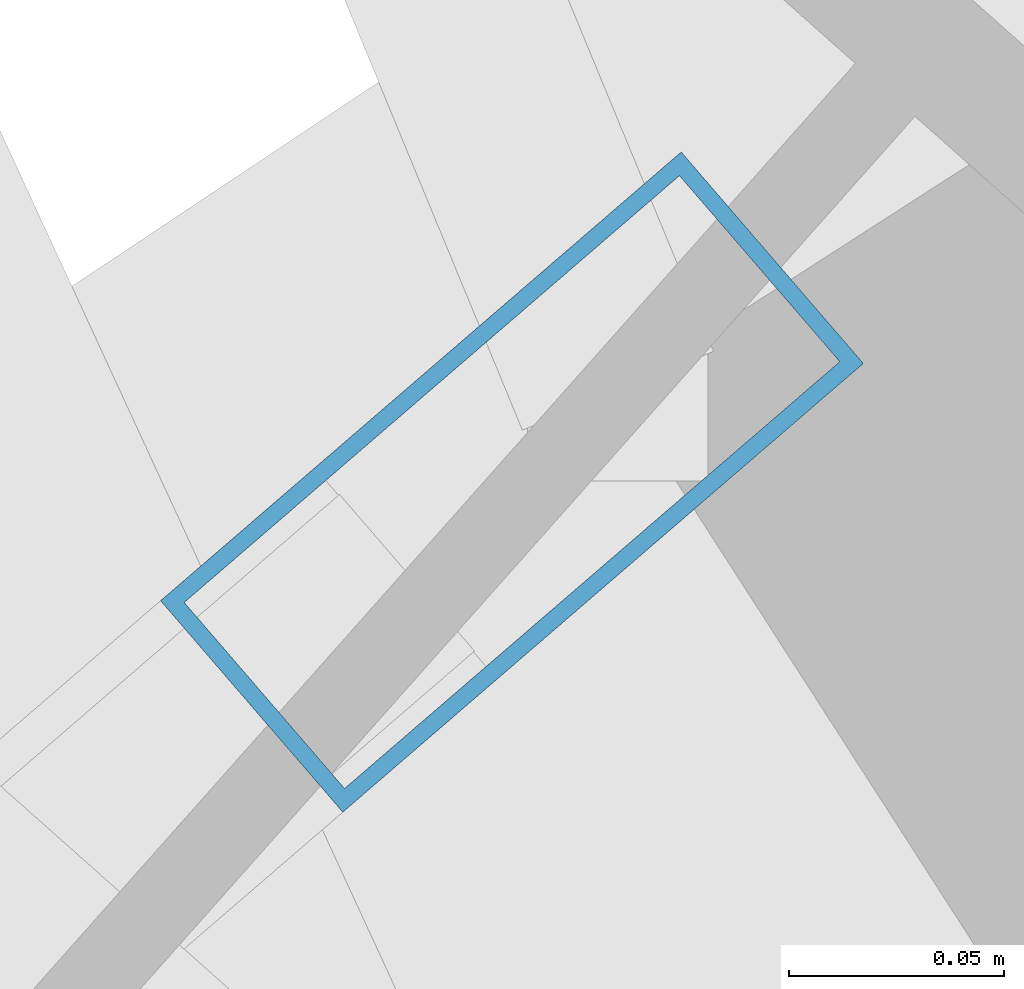
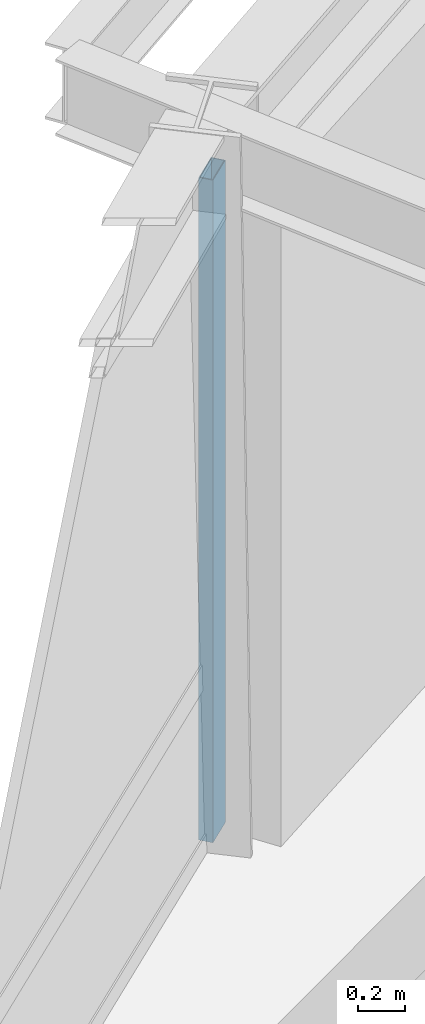
# One storey, part 11 of 22: 1 member, 1 element without a shape of its own.
"""IFC4 building model written with IfcOpenShell, lengths in metres."""

from ifc_helpers import new_model, si_unit, direction, frame, origin, origin_2d, place, context, subcontext, project, spatial, hollow_rectangle, extrude, source, transform, mapped, material, material_profile, profile_set, type_object, element, aggregate, save


model = new_model("IFC4")

# Units and contexts
model_context = context("Model", 3, precision=1e-05, world=origin(), true_north=direction((0.0, 1.0)))
body_context = subcontext(model_context, "Body", "Model", "MODEL_VIEW")
ifc_project = project(units=[si_unit("LENGTHUNIT", "METRE"), si_unit("AREAUNIT", "SQUARE_METRE"), si_unit("VOLUMEUNIT", "CUBIC_METRE"), si_unit("PLANEANGLEUNIT", "RADIAN"), si_unit("MASSUNIT", "GRAM", prefix="KILO")], contexts=[model_context])

# Site, building, storey
site_placement = place(None, origin())
site = spatial("IfcSite", under=ifc_project, at=site_placement, CompositionType="ELEMENT")
building_placement = place(site_placement, origin())
building = spatial("IfcBuilding", under=site, at=building_placement, Name="Olszyna Solenne Hotel", CompositionType="ELEMENT")
storey_placement = place(building_placement, frame((0.0, 0.0, 281.89990234375)))
storey = spatial("IfcBuildingStorey", under=building, at=storey_placement, Name="L75", CompositionType="ELEMENT", Elevation=281.89990234375)

# Curtain wall, member
ifc_material = material(Name="Anodised bronze aluminium", Category="aluminium")
curtain_wall_type = type_object("IfcCurtainWallType", Name="CW-SYS-7", PredefinedType="NOTDEFINED", material=ifc_material)
curtain_wall_placement = place(storey_placement, origin())
curtain_wall = element("IfcCurtainWall", 1, at=curtain_wall_placement, inside=storey, type_object=curtain_wall_type, Name="Unitised curtain wall CW-SYS-7 CW-L75-02", PredefinedType="NOTDEFINED")
ifc_material_profile = material_profile(ifc_material, hollow_rectangle(XDim=0.06494140625, YDim=0.159912109375, WallThickness=0.00390625, at=origin_2d()), Name="MULL 160x65x4", Category="load-bearing")
ifc_profile_set = profile_set([ifc_material_profile], Name="Anodised bronze aluminium")
member_type = type_object("IfcMemberType", Name="CW-M3", PredefinedType="MULLION", material=ifc_profile_set)
shared_shape = source(origin(), body_context, "Body", "SweptSolid", [
    extrude(hollow_rectangle(XDim=0.06494140625, YDim=0.159912109375, WallThickness=0.00390625, at=origin_2d()), origin(), (0.0, 0.0, 1.0), 3.462158203125),
])
member_placement = place(storey_placement, frame((32.506103515625, 38.83984375, 0.0), z_axis=(0.0, 0.0, 1.0), x_axis=(-0.652840102884, 0.757495742606, 0.0)))
member = element("IfcMember", 2, at=member_placement, type_object=member_type, Name="Curtain-wall mullion CW-M3 CM-L75-02-04", PredefinedType="MULLION", context=body_context, shape_type="MappedRepresentation", body=[
    mapped(shared_shape, transform((0.0, 0.0, 0.0), x_axis=(1.0, 0.0, 0.0), y_axis=(0.0, 1.0, 0.0), z_axis=(0.0, 0.0, 1.0), scale=1.0)),
])
aggregate(curtain_wall, [member])

save(model, "model.ifc")
